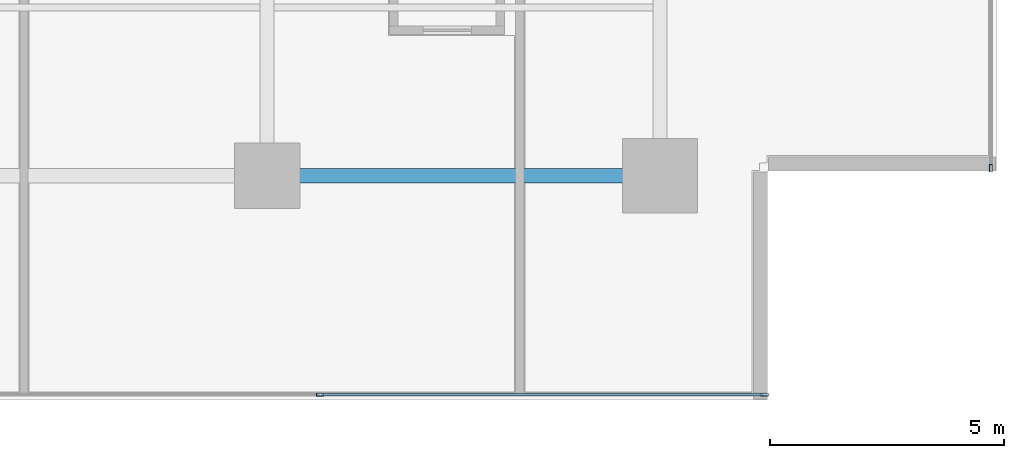
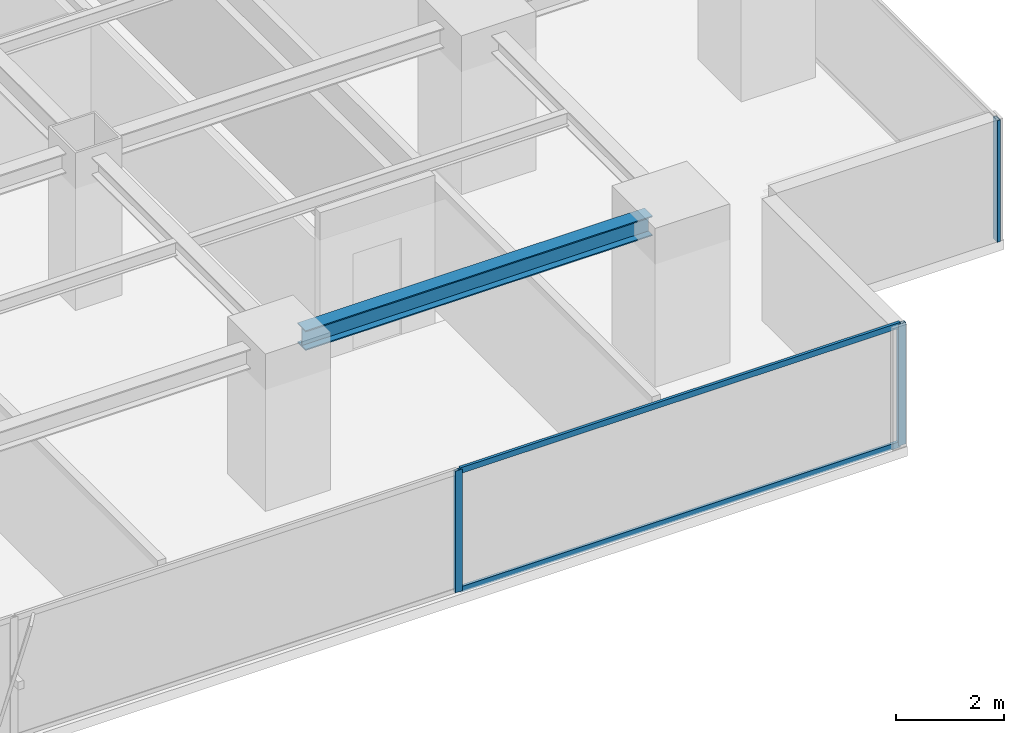
# One storey, part 9 of 28: 5 members, 1 beam, 2 elements without a shape of their own.
"""IFC4 building model written with IfcOpenShell, lengths in metres."""

from ifc_helpers import new_model, si_unit, direction, frame, origin, origin_2d, place, context, subcontext, project, spatial, hollow_rectangle, i_section, extrude, source, transform, mapped, material, layer, layer_set, material_profile, profile_set, type_object, element, aggregate, save


model = new_model("IFC4")

# Units and contexts
model_context = context("Model", 3, precision=1e-05, world=origin(), true_north=direction((0.0, 1.0)))
body_context = subcontext(model_context, "Body", "Model", "MODEL_VIEW")
ifc_project = project(units=[si_unit("LENGTHUNIT", "METRE"), si_unit("AREAUNIT", "SQUARE_METRE"), si_unit("VOLUMEUNIT", "CUBIC_METRE"), si_unit("PLANEANGLEUNIT", "RADIAN"), si_unit("MASSUNIT", "GRAM", prefix="KILO")], contexts=[model_context])

# Site, building, storey
site_placement = place(None, origin())
site = spatial("IfcSite", under=ifc_project, at=site_placement, CompositionType="ELEMENT")
building_placement = place(site_placement, origin())
building = spatial("IfcBuilding", under=site, at=building_placement, Name="Sumidabori Civic Tower", CompositionType="ELEMENT")
storey_placement = place(building_placement, frame((0.0, 0.0, 171.199951171875)))
storey = spatial("IfcBuildingStorey", under=building, at=storey_placement, Name="L44", CompositionType="ELEMENT", Elevation=171.199951171875)

# Beam
ifc_material_1 = material(Name="Steel SN490", Category="steel")
ifc_material_profile_1 = material_profile(ifc_material_1, i_section(OverallWidth=0.300048828125, OverallDepth=0.449951171875, WebThickness=0.013916015625, FlangeThickness=0.02587890625, at=origin_2d()), Name="HE 450 B")
ifc_profile_set_1 = profile_set([ifc_material_profile_1], Name="Steel SN490")
beam_type = type_object("IfcBeamType", Name="BM-GIRD-450", PredefinedType="BEAM", material=ifc_profile_set_1)
shared_shape_1 = source(origin(), body_context, "Body", "SweptSolid", [
    extrude(i_section(OverallWidth=0.300048828125, OverallDepth=0.449951171875, WebThickness=0.013916015625, FlangeThickness=0.02587890625, at=origin_2d()), origin(), (0.0, 0.0, 1.0), 7.440185546875),
])
beam_placement = place(storey_placement, frame((8.8798828125, -18.0, 3.155029296875), z_axis=(1.0, 0.0, 0.0), x_axis=(0.0, 1.0, 0.0)))
element("IfcBeam", 1, at=beam_placement, inside=storey, type_object=beam_type, Name="Primary Girder L44 GX-04", PredefinedType="BEAM", context=body_context, shape_type="MappedRepresentation", body=[
    mapped(shared_shape_1, transform((0.0, 0.0, 0.0), x_axis=(1.0, 0.0, 0.0), y_axis=(0.0, 1.0, 0.0), z_axis=(0.0, 0.0, 1.0), scale=1.0)),
])

# Curtain wall, members
ifc_material_2 = material(Name="Anodised Bronze Aluminium AW-6063-T6", Category="aluminium")
ifc_layer = layer(ifc_material_2, 0.179931640625, Name="Anodised Bronze Aluminium AW-6063-T6")
ifc_layer_set = layer_set([ifc_layer], Name="Anodised Bronze Aluminium AW-6063-T6")
curtain_wall_type = type_object("IfcCurtainWallType", Name="CW-SYS-3", PredefinedType="NOTDEFINED", material=ifc_layer_set)
curtain_wall_1_placement = place(storey_placement, origin())
curtain_wall_1 = element("IfcCurtainWall", 2, at=curtain_wall_1_placement, inside=storey, type_object=curtain_wall_type, Name="Curtain Wall CW:L44:R01", PredefinedType="NOTDEFINED")
ifc_material_profile_2 = material_profile(ifc_material_2, hollow_rectangle(XDim=0.06494140625, YDim=0.159912109375, WallThickness=0.0048828125, at=origin_2d()), Name="ALU MULLION 160x65")
ifc_profile_set_2 = profile_set([ifc_material_profile_2], Name="Anodised Bronze Aluminium AW-6063-T6")
member_type_1 = type_object("IfcMemberType", Name="CW-MUL-160", PredefinedType="MULLION", material=ifc_profile_set_2)
shared_shape_2 = source(origin(), body_context, "Body", "SweptSolid", [
    extrude(hollow_rectangle(XDim=0.06494140625, YDim=0.159912109375, WallThickness=0.0048828125, at=origin_2d()), origin(), (0.0, 0.0, 1.0), 2.760009765625),
])
member_1_placement = place(storey_placement, frame((9.534912109375, -22.679931640625, 0.0), z_axis=(0.0, 0.0, 1.0), x_axis=(0.0, 1.0, 0.0)))
member_1 = element("IfcMember", 3, at=member_1_placement, type_object=member_type_1, Name="CW-3 mullion 4", PredefinedType="MULLION", context=body_context, shape_type="MappedRepresentation", body=[
    mapped(shared_shape_2, transform((0.0, 0.0, 0.0), x_axis=(1.0, 0.0, 0.0), y_axis=(0.0, 1.0, 0.0), z_axis=(0.0, 0.0, 1.0), scale=1.0)),
])
member_2_placement = place(storey_placement, frame((19.03759765625, -22.679931640625, 0.0), z_axis=(0.0, 0.0, 1.0), x_axis=(0.0, 1.0, 0.0)))
member_2 = element("IfcMember", 4, at=member_2_placement, type_object=member_type_1, Name="CW-3 mullion 5", PredefinedType="MULLION", context=body_context, shape_type="MappedRepresentation", body=[
    mapped(shared_shape_2, transform((0.0, 0.0, 0.0), x_axis=(1.0, 0.0, 0.0), y_axis=(0.0, 1.0, 0.0), z_axis=(0.0, 0.0, 1.0), scale=1.0)),
])

# Curtain wall, member
curtain_wall_2_placement = place(storey_placement, origin())
curtain_wall_2 = element("IfcCurtainWall", 5, at=curtain_wall_2_placement, inside=storey, type_object=curtain_wall_type, Name="Curtain Wall CW:L44:R04", PredefinedType="NOTDEFINED")
member_3_placement = place(storey_placement, frame((23.8798828125, -17.83740234375, 0.0), z_axis=(0.0, 0.0, 1.0), x_axis=(-1.0, 0.0, 0.0)))
member_3 = element("IfcMember", 6, at=member_3_placement, type_object=member_type_1, Name="CW-3 mullion 1", PredefinedType="MULLION", context=body_context, shape_type="MappedRepresentation", body=[
    mapped(shared_shape_2, transform((0.0, 0.0, 0.0), x_axis=(1.0, 0.0, 0.0), y_axis=(0.0, 1.0, 0.0), z_axis=(0.0, 0.0, 1.0), scale=1.0)),
])
aggregate(curtain_wall_2, [member_3])

# Member
ifc_material_profile_3 = material_profile(ifc_material_2, hollow_rectangle(XDim=0.06005859375, YDim=0.1298828125, WallThickness=0.0048828125, at=origin_2d()), Name="ALU TRANSOM 130x60")
ifc_profile_set_3 = profile_set([ifc_material_profile_3], Name="Anodised Bronze Aluminium AW-6063-T6")
member_type_2 = type_object("IfcMemberType", Name="CW-TRN-130", PredefinedType="USERDEFINED", material=ifc_profile_set_3)
shared_shape_3 = source(origin(), body_context, "Body", "SweptSolid", [
    extrude(hollow_rectangle(XDim=0.06005859375, YDim=0.1298828125, WallThickness=0.0048828125, at=origin_2d()), origin(), (0.0, 0.0, 1.0), 9.4375),
])
member_4_placement = place(storey_placement, frame((9.5673828125, -22.679931640625, 0.030029296875), z_axis=(1.0, 0.0, 0.0), x_axis=(0.0, 1.0, 0.0)))
member_4 = element("IfcMember", 7, at=member_4_placement, type_object=member_type_2, Name="CW-3 transom 4.1", ObjectType="TRANSOM", PredefinedType="USERDEFINED", context=body_context, shape_type="MappedRepresentation", body=[
    mapped(shared_shape_3, transform((0.0, 0.0, 0.0), x_axis=(1.0, 0.0, 0.0), y_axis=(0.0, 1.0, 0.0), z_axis=(0.0, 0.0, 1.0), scale=1.0)),
])

member_5_placement = place(storey_placement, frame((9.5673828125, -22.679931640625, 2.72998046875), z_axis=(1.0, 0.0, 0.0), x_axis=(0.0, 1.0, 0.0)))
member_5 = element("IfcMember", 8, at=member_5_placement, type_object=member_type_2, Name="CW-3 transom 4.2", ObjectType="TRANSOM", PredefinedType="USERDEFINED", context=body_context, shape_type="MappedRepresentation", body=[
    mapped(shared_shape_3, transform((0.0, 0.0, 0.0), x_axis=(1.0, 0.0, 0.0), y_axis=(0.0, 1.0, 0.0), z_axis=(0.0, 0.0, 1.0), scale=1.0)),
])

aggregate(curtain_wall_1, [member_1, member_2, member_4, member_5])

save(model, "model.ifc")
